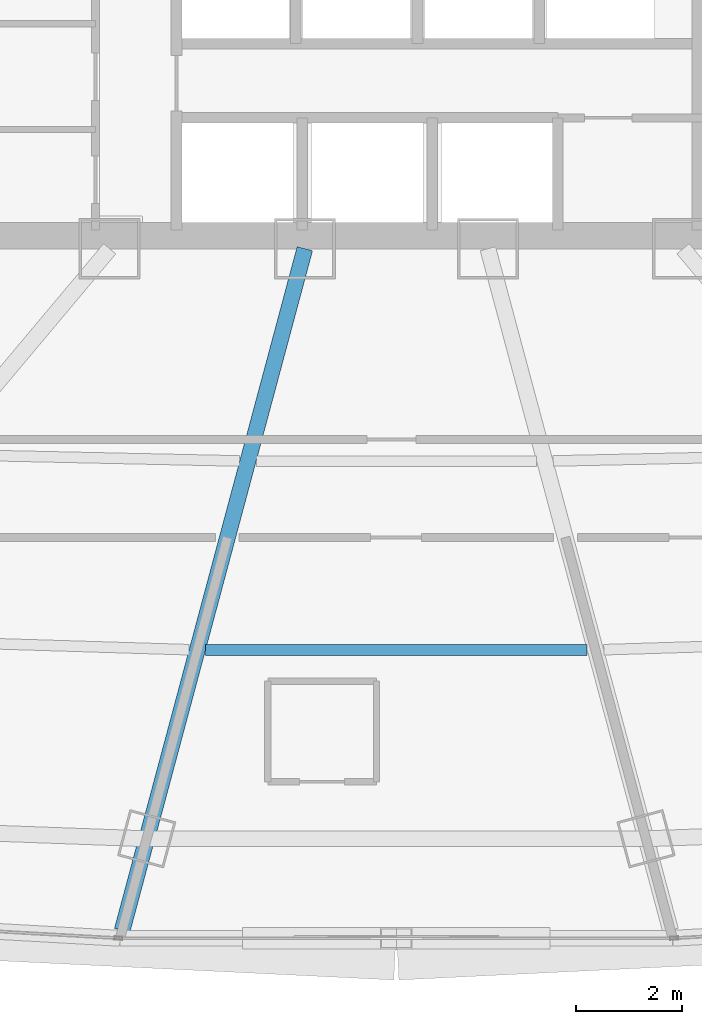
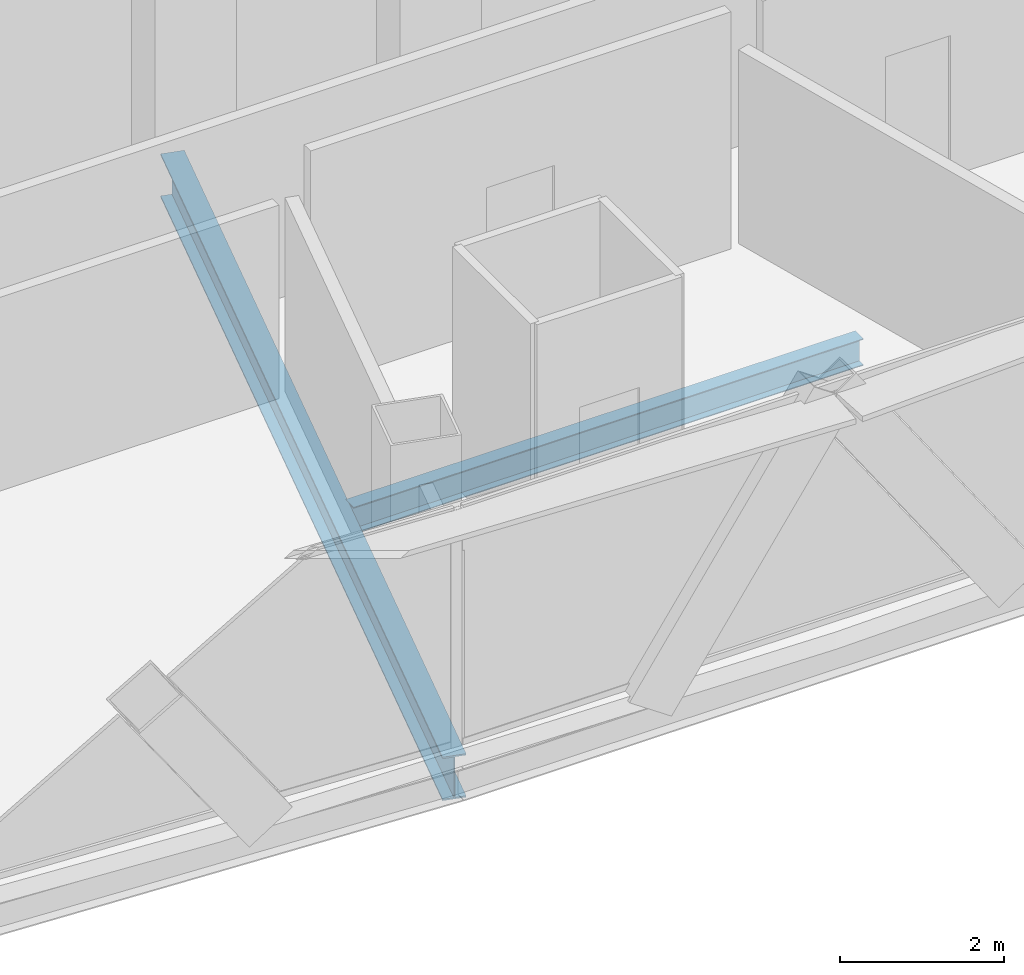
# One storey, part 11 of 37: 2 beams.
"""IFC4 building model written with IfcOpenShell, lengths in metres."""

from ifc_helpers import new_model, si_unit, direction, frame, origin, origin_2d, place, context, subcontext, project, spatial, i_section, extrude, source, transform, mapped, material, material_profile, profile_set, type_object, element, save


model = new_model("IFC4")

# Units and contexts
model_context = context("Model", 3, precision=1e-05, world=origin(), true_north=direction((0.0, 1.0)))
body_context = subcontext(model_context, "Body", "Model", "MODEL_VIEW")
ifc_project = project(units=[si_unit("LENGTHUNIT", "METRE"), si_unit("AREAUNIT", "SQUARE_METRE"), si_unit("VOLUMEUNIT", "CUBIC_METRE"), si_unit("PLANEANGLEUNIT", "RADIAN"), si_unit("MASSUNIT", "GRAM", prefix="KILO"), si_unit("THERMODYNAMICTEMPERATUREUNIT", "KELVIN"), si_unit("POWERUNIT", "WATT")], contexts=[model_context])

# Site, building, storey
site_placement = place(None, origin())
site = spatial("IfcSite", under=ifc_project, at=site_placement, CompositionType="ELEMENT")
building_placement = place(site_placement, origin())
building = spatial("IfcBuilding", under=site, at=building_placement, Name="Yunzhuo Pagoda Commons", CompositionType="ELEMENT")
storey_placement = place(building_placement, frame((0.0, 0.0, 196.159912109375)))
storey = spatial("IfcBuildingStorey", under=building, at=storey_placement, Name="L49", CompositionType="ELEMENT", Elevation=196.159912109375)

# Beams
ifc_material = material(Name="Structural steel Q355B", Category="steel")
ifc_material_profile_1 = material_profile(ifc_material, i_section(OverallWidth=0.199951171875, OverallDepth=0.39990234375, WebThickness=0.008056640625, FlangeThickness=0.012939453125, at=origin_2d()), Name="Structural steel Q355B")
ifc_profile_set_1 = profile_set([ifc_material_profile_1], Name="Structural steel Q355B")
beam_type_1 = type_object("IfcBeamType", Name="B-JS1 Joist HN 400x200x8x13", PredefinedType="JOIST", material=ifc_profile_set_1)
shared_shape_1 = source(origin(), body_context, "Body", "SweptSolid", [
    extrude(i_section(OverallWidth=0.199951171875, OverallDepth=0.39990234375, WebThickness=0.008056640625, FlangeThickness=0.012939453125, at=origin_2d()), origin(), (0.0, 0.0, 1.0), 7.197265625),
])
beam_1_placement = place(storey_placement, frame((44.4013671875, 19.676513671875, -0.4599609375), z_axis=(1.0, 0.0, 0.0), x_axis=(0.0, 1.0, 0.0)))
element("IfcBeam", 1, at=beam_1_placement, inside=storey, type_object=beam_type_1, Name="L49 composite ring joist 2.2", PredefinedType="JOIST", context=body_context, shape_type="MappedRepresentation", body=[
    mapped(shared_shape_1, transform((0.0, 0.0, 0.0), scale=1.0)),
])
ifc_material_profile_2 = material_profile(ifc_material, i_section(OverallWidth=0.300048828125, OverallDepth=0.64990234375, WebThickness=0.012939453125, FlangeThickness=0.02197265625, at=origin_2d()), Name="Structural steel Q355B")
ifc_profile_set_2 = profile_set([ifc_material_profile_2], Name="Structural steel Q355B")
beam_type_2 = type_object("IfcBeamType", Name="B-RG2 Beam HN 650x300x13x22", PredefinedType="BEAM", material=ifc_profile_set_2)
shared_shape_2 = source(origin(), body_context, "Body", "SweptSolid", [
    extrude(i_section(OverallWidth=0.300048828125, OverallDepth=0.64990234375, WebThickness=0.012939453125, FlangeThickness=0.02197265625, at=origin_2d()), origin(), (0.0, 0.0, 1.0), 13.320556640625),
])
beam_2_placement = place(storey_placement, frame((42.82421875, 14.38330078125, -0.5849609375), z_axis=(0.258828307635, 0.965923344353, 0.0), x_axis=(-0.965923344353, 0.258828307635, 0.0)))
element("IfcBeam", 2, at=beam_2_placement, inside=storey, type_object=beam_type_2, Name="L49 radial floor girder F1C2", PredefinedType="BEAM", context=body_context, shape_type="MappedRepresentation", body=[
    mapped(shared_shape_2, transform((0.0, 0.0, 0.0), scale=1.0)),
])

save(model, "model.ifc")
